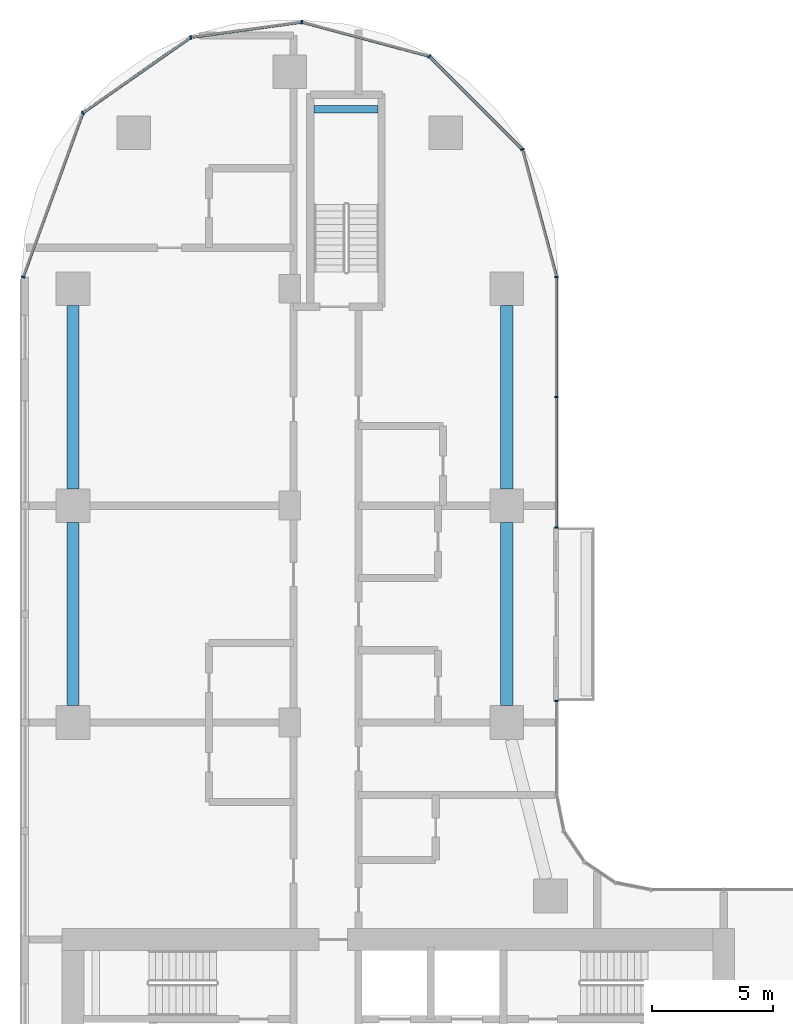
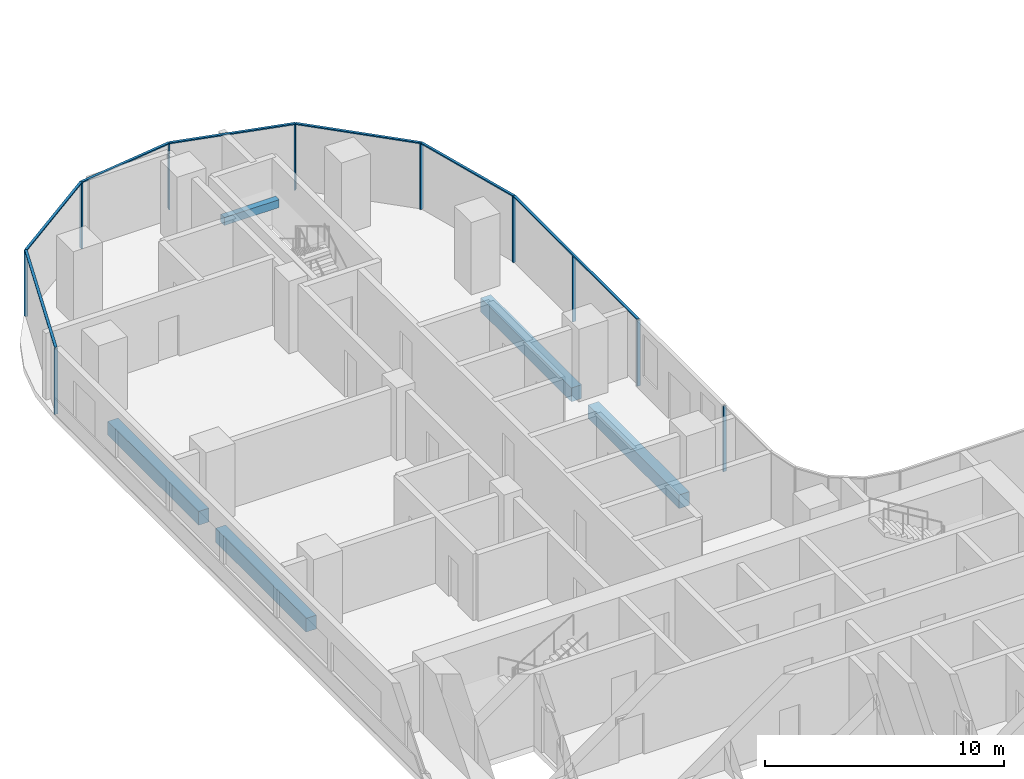
# One storey, part 6 of 32: 17 members, 5 beams, 3 elements without a shape of their own.
"""IFC4 building model written with IfcOpenShell, lengths in metres."""

from ifc_helpers import new_model, si_unit, direction, frame, origin, origin_2d, place, context, subcontext, project, spatial, rectangle, extrude, material, material_profile, profile_set, type_object, element, aggregate, save


model = new_model("IFC4")

# Units and contexts
model_context = context("Model", 3, precision=1e-05, world=origin(), true_north=direction((0.0, 1.0)))
body_context = subcontext(model_context, "Body", "Model", "MODEL_VIEW")
ifc_project = project(units=[si_unit("LENGTHUNIT", "METRE"), si_unit("AREAUNIT", "SQUARE_METRE"), si_unit("VOLUMEUNIT", "CUBIC_METRE"), si_unit("PLANEANGLEUNIT", "RADIAN"), si_unit("MASSUNIT", "GRAM", prefix="KILO")], contexts=[model_context])

# Site, building, storey
site_placement = place(None, origin())
site = spatial("IfcSite", under=ifc_project, at=site_placement, CompositionType="ELEMENT")
building_placement = place(site_placement, origin())
building = spatial("IfcBuilding", under=site, at=building_placement, Name="Ogive Portal Towers", CompositionType="ELEMENT")
storey_placement = place(building_placement, frame((0.0, 0.0, 55.699951171875)))
storey = spatial("IfcBuildingStorey", under=building, at=storey_placement, Name="L12", CompositionType="ELEMENT", Elevation=55.699951171875)

# Beam
ifc_material_1 = material(Name="Concrete C40/50", Category="concrete")
ifc_material_profile_1 = material_profile(ifc_material_1, rectangle(XDim=0.300048828125, YDim=0.39990234375, at=origin_2d()), Name="RC 300x400")
ifc_profile_set_1 = profile_set([ifc_material_profile_1], Name="Concrete C40/50")
beam_type_1 = type_object("IfcBeamType", Name="BEAM RC 300x400", PredefinedType="BEAM", material=ifc_profile_set_1)
beam_placement = place(storey_placement, frame((41.5, 73.949951171875, 1.449951171875), z_axis=(1.0, 0.0, 0.0), x_axis=(0.0, 1.0, 0.0)))
element("IfcBeam", 1, at=beam_placement, inside=storey, type_object=beam_type_1, Name="Landing beam L12", PredefinedType="BEAM", context=body_context, shape_type="SweptSolid", body=[
    extrude(rectangle(XDim=0.300048828125, YDim=0.39990234375, at=origin_2d()), origin(), (0.0, 0.0, 1.0), 2.64990234375),
])

# Curtain wall, member
ifc_material_2 = material(Name="Glass, clear low-iron insulated glazing", Category="glass")
curtain_wall_type = type_object("IfcCurtainWallType", Name="CW FRONT RIBBON 4500", PredefinedType="NOTDEFINED", material=ifc_material_2)
curtain_wall_1_placement = place(storey_placement, origin())
curtain_wall_1 = element("IfcCurtainWall", 2, at=curtain_wall_1_placement, inside=storey, type_object=curtain_wall_type, Name="A:L12:f21:cw0", PredefinedType="NOTDEFINED")
ifc_material_3 = material(Name="Aluminium 6063 anodised", Category="aluminium")
ifc_material_profile_2 = material_profile(ifc_material_3, rectangle(XDim=0.159912109375, YDim=0.06005859375, at=origin_2d()), Name="AL 60x160")
ifc_profile_set_2 = profile_set([ifc_material_profile_2], Name="Aluminium 6063 anodised")
member_type_1 = type_object("IfcMemberType", Name="CW MULLION 60x160", PredefinedType="MULLION", material=ifc_profile_set_2)
member_1_placement = place(storey_placement, frame((51.56494140625, 49.3916015625, 0.0), z_axis=(0.0, 0.0, 1.0), x_axis=(-1.0, 0.0, 0.0)))
member_1 = element("IfcMember", 3, at=member_1_placement, type_object=member_type_1, Name="mullion", PredefinedType="MULLION", context=body_context, shape_type="SweptSolid", body=[
    extrude(rectangle(XDim=0.159912109375, YDim=0.06005859375, at=origin_2d()), origin(), (0.0, 0.0, 1.0), 3.340087890625),
])
aggregate(curtain_wall_1, [member_1])

# Curtain wall, members
curtain_wall_2_placement = place(storey_placement, origin())
curtain_wall_2 = element("IfcCurtainWall", 4, at=curtain_wall_2_placement, inside=storey, type_object=curtain_wall_type, Name="A:L12:f21:cw1", PredefinedType="NOTDEFINED")
member_2_placement = place(storey_placement, frame((51.56494140625, 56.5908203125, 0.0), z_axis=(0.0, 0.0, 1.0), x_axis=(-1.0, 0.0, 0.0)))
member_2 = element("IfcMember", 5, at=member_2_placement, type_object=member_type_1, Name="mullion", PredefinedType="MULLION", context=body_context, shape_type="SweptSolid", body=[
    extrude(rectangle(XDim=0.159912109375, YDim=0.06005859375, at=origin_2d()), origin(), (0.0, 0.0, 1.0), 3.340087890625),
])
member_3_placement = place(storey_placement, frame((51.56494140625, 62.0, 0.0), z_axis=(0.0, 0.0, 1.0), x_axis=(-1.0, 0.0, 0.0)))
member_3 = element("IfcMember", 6, at=member_3_placement, type_object=member_type_1, Name="mullion", PredefinedType="MULLION", context=body_context, shape_type="SweptSolid", body=[
    extrude(rectangle(XDim=0.159912109375, YDim=0.06005859375, at=origin_2d()), origin(), (0.0, 0.0, 1.0), 3.340087890625),
])
member_4_placement = place(storey_placement, frame((51.56494140625, 66.989501953125, 0.0), z_axis=(0.0, 0.0, 1.0), x_axis=(-1.0, 0.0, 0.0)))
member_4 = element("IfcMember", 7, at=member_4_placement, type_object=member_type_1, Name="mullion", PredefinedType="MULLION", context=body_context, shape_type="SweptSolid", body=[
    extrude(rectangle(XDim=0.159912109375, YDim=0.06005859375, at=origin_2d()), origin(), (0.0, 0.0, 1.0), 3.340087890625),
])

curtain_wall_3_placement = place(storey_placement, origin())
curtain_wall_3 = element("IfcCurtainWall", 8, at=curtain_wall_3_placement, inside=storey, type_object=curtain_wall_type, Name="A:L12:f22:cwa", PredefinedType="NOTDEFINED")
member_5_placement = place(storey_placement, frame((50.147216796875, 72.281005859375, 0.0), z_axis=(0.0, 0.0, 1.0), x_axis=(-0.965925826289, -0.258819045103, 0.0)))
member_5 = element("IfcMember", 9, at=member_5_placement, type_object=member_type_1, Name="mullion", PredefinedType="MULLION", context=body_context, shape_type="SweptSolid", body=[
    extrude(rectangle(XDim=0.159912109375, YDim=0.06005859375, at=origin_2d()), origin(), (0.0, 0.0, 1.0), 3.340087890625),
])
member_6_placement = place(storey_placement, frame((46.281005859375, 76.147216796875, 0.0), z_axis=(0.0, 0.0, 1.0), x_axis=(-0.707106781187, -0.707106781187, 0.0)))
member_6 = element("IfcMember", 10, at=member_6_placement, type_object=member_type_1, Name="mullion", PredefinedType="MULLION", context=body_context, shape_type="SweptSolid", body=[
    extrude(rectangle(XDim=0.159912109375, YDim=0.06005859375, at=origin_2d()), origin(), (0.0, 0.0, 1.0), 3.340087890625),
])
member_7_placement = place(storey_placement, frame((40.994873046875, 77.5634765625, 0.0), z_axis=(0.0, 0.0, 1.0), x_axis=(-0.258819045103, -0.965925826289, 0.0)))
member_7 = element("IfcMember", 11, at=member_7_placement, type_object=member_type_1, Name="mullion", PredefinedType="MULLION", context=body_context, shape_type="SweptSolid", body=[
    extrude(rectangle(XDim=0.159912109375, YDim=0.06005859375, at=origin_2d()), origin(), (0.0, 0.0, 1.0), 3.340087890625),
])
member_8_placement = place(storey_placement, frame((36.38916015625, 76.926513671875, 0.0), z_axis=(0.0, 0.0, 1.0), x_axis=(0.137027216118, -0.990567282946, 0.0)))
member_8 = element("IfcMember", 12, at=member_8_placement, type_object=member_type_1, Name="mullion", PredefinedType="MULLION", context=body_context, shape_type="SweptSolid", body=[
    extrude(rectangle(XDim=0.159912109375, YDim=0.06005859375, at=origin_2d()), origin(), (0.0, 0.0, 1.0), 3.340087890625),
])
member_9_placement = place(storey_placement, frame((31.912109375, 73.79150390625, 0.0), z_axis=(0.0, 0.0, 1.0), x_axis=(0.573576436351, -0.819152044289, 0.0)))
member_9 = element("IfcMember", 13, at=member_9_placement, type_object=member_type_1, Name="mullion", PredefinedType="MULLION", context=body_context, shape_type="SweptSolid", body=[
    extrude(rectangle(XDim=0.159912109375, YDim=0.06005859375, at=origin_2d()), origin(), (0.0, 0.0, 1.0), 3.340087890625),
])
member_10_placement = place(storey_placement, frame((29.43505859375, 66.98583984375, 0.0), z_axis=(0.0, 0.0, 1.0), x_axis=(0.939692620786, -0.342020143326, 0.0)))
member_10 = element("IfcMember", 14, at=member_10_placement, type_object=member_type_1, Name="mullion", PredefinedType="MULLION", context=body_context, shape_type="SweptSolid", body=[
    extrude(rectangle(XDim=0.159912109375, YDim=0.06005859375, at=origin_2d()), origin(), (0.0, 0.0, 1.0), 3.340087890625),
])

# Member
ifc_material_profile_3 = material_profile(ifc_material_3, rectangle(XDim=0.1201171875, YDim=0.06005859375, at=origin_2d()), Name="AL 120x60")
ifc_profile_set_3 = profile_set([ifc_material_profile_3], Name="Aluminium 6063 anodised")
member_type_2 = type_object("IfcMemberType", Name="CW TRANSOM 60x120", PredefinedType="USERDEFINED", material=ifc_profile_set_3)
member_11_placement = place(storey_placement, frame((51.56494140625, 56.5908203125, 3.3701171875), z_axis=(0.0, 1.0, 0.0), x_axis=(-1.0, 0.0, 0.0)))
member_11 = element("IfcMember", 15, at=member_11_placement, type_object=member_type_2, Name="transom", ObjectType="TRANSOM", PredefinedType="USERDEFINED", context=body_context, shape_type="SweptSolid", body=[
    extrude(rectangle(XDim=0.1201171875, YDim=0.06005859375, at=origin_2d()), origin(), (0.0, 0.0, 1.0), 10.398681640625),
])

aggregate(curtain_wall_2, [member_11, member_2, member_3, member_4])

member_12_placement = place(storey_placement, frame((51.56494140625, 66.989501953125, 3.3701171875), z_axis=(-0.258796973975, 0.965931739959, 0.0), x_axis=(-0.965931739959, -0.258796973975, 0.0)))
member_12 = element("IfcMember", 16, at=member_12_placement, type_object=member_type_2, Name="transom", ObjectType="TRANSOM", PredefinedType="USERDEFINED", context=body_context, shape_type="SweptSolid", body=[
    extrude(rectangle(XDim=0.1201171875, YDim=0.06005859375, at=origin_2d()), origin(), (0.0, 0.0, 1.0), 5.47802734375),
])

member_13_placement = place(storey_placement, frame((50.147216796875, 72.281005859375, 3.3701171875), z_axis=(-0.707106781187, 0.707106781187, 0.0), x_axis=(-0.707106781187, -0.707106781187, 0.0)))
member_13 = element("IfcMember", 17, at=member_13_placement, type_object=member_type_2, Name="transom", ObjectType="TRANSOM", PredefinedType="USERDEFINED", context=body_context, shape_type="SweptSolid", body=[
    extrude(rectangle(XDim=0.1201171875, YDim=0.06005859375, at=origin_2d()), origin(), (0.0, 0.0, 1.0), 5.467529296875),
])

member_14_placement = place(storey_placement, frame((46.281005859375, 76.147216796875, 3.3701171875), z_axis=(-0.965932918236, 0.258792576145, 0.0), x_axis=(-0.258792576145, -0.965932918236, 0.0)))
member_14 = element("IfcMember", 18, at=member_14_placement, type_object=member_type_2, Name="transom", ObjectType="TRANSOM", PredefinedType="USERDEFINED", context=body_context, shape_type="SweptSolid", body=[
    extrude(rectangle(XDim=0.1201171875, YDim=0.06005859375, at=origin_2d()), origin(), (0.0, 0.0, 1.0), 5.47265625),
])

member_15_placement = place(storey_placement, frame((40.994873046875, 77.5634765625, 3.3701171875), z_axis=(-0.990571803733, -0.136994531457, 0.0), x_axis=(0.136994531457, -0.990571803733, 0.0)))
member_15 = element("IfcMember", 19, at=member_15_placement, type_object=member_type_2, Name="transom", ObjectType="TRANSOM", PredefinedType="USERDEFINED", context=body_context, shape_type="SweptSolid", body=[
    extrude(rectangle(XDim=0.1201171875, YDim=0.06005859375, at=origin_2d()), origin(), (0.0, 0.0, 1.0), 4.649658203125),
])

member_16_placement = place(storey_placement, frame((36.38916015625, 76.926513671875, 3.3701171875), z_axis=(-0.819139574042, -0.573594245298, 0.0), x_axis=(0.573594245298, -0.819139574042, 0.0)))
member_16 = element("IfcMember", 20, at=member_16_placement, type_object=member_type_2, Name="transom", ObjectType="TRANSOM", PredefinedType="USERDEFINED", context=body_context, shape_type="SweptSolid", body=[
    extrude(rectangle(XDim=0.1201171875, YDim=0.06005859375, at=origin_2d()), origin(), (0.0, 0.0, 1.0), 5.465576171875),
])

member_17_placement = place(storey_placement, frame((31.912109375, 73.79150390625, 3.3701171875), z_axis=(-0.342019123812, -0.939692991858, 0.0), x_axis=(0.939692991858, -0.342019123812, 0.0)))
member_17 = element("IfcMember", 21, at=member_17_placement, type_object=member_type_2, Name="transom", ObjectType="TRANSOM", PredefinedType="USERDEFINED", context=body_context, shape_type="SweptSolid", body=[
    extrude(rectangle(XDim=0.1201171875, YDim=0.06005859375, at=origin_2d()), origin(), (0.0, 0.0, 1.0), 7.242431640625),
])

aggregate(curtain_wall_3, [member_12, member_13, member_14, member_15, member_16, member_17, member_5, member_6, member_7, member_8, member_9, member_10])

# Beams
ifc_material_profile_4 = material_profile(ifc_material_1, rectangle(XDim=0.5, YDim=0.699951171875, at=origin_2d()), Name="RC 500x700")
ifc_profile_set_4 = profile_set([ifc_material_profile_4], Name="Concrete C40/50")
beam_type_2 = type_object("IfcBeamType", Name="SPANDREL BEAM RC 500x700", PredefinedType="BEAM", material=ifc_profile_set_4)
for number, where, z_axis, x_axis, name in (
    (22, (31.5, 49.199951171875, -0.64990234375), (0.0, 1.0, 0.0), (-1.0, 0.0, 0.0), "Spandrel beam L12"),
    (23, (31.5, 58.199951171875, -0.64990234375), (0.0, 1.0, 0.0), (-1.0, 0.0, 0.0), "Spandrel beam L12"),
    (24, (49.5, 65.800048828125, -0.64990234375), (0.0, -1.0, 0.0), (1.0, 0.0, 0.0), "Spandrel beam L12"),
    (25, (49.5, 56.800048828125, -0.64990234375), (0.0, -1.0, 0.0), (1.0, 0.0, 0.0), "Spandrel beam L12"),
):
    element("IfcBeam", number, at=place(storey_placement, frame(where, z_axis=z_axis, x_axis=x_axis)), inside=storey, type_object=beam_type_2, Name=name, PredefinedType="BEAM", context=body_context, shape_type="SweptSolid", body=[
        extrude(rectangle(XDim=0.5, YDim=0.699951171875, at=origin_2d()), origin(), (0.0, 0.0, 1.0), 7.60009765625),
    ])

save(model, "model.ifc")
